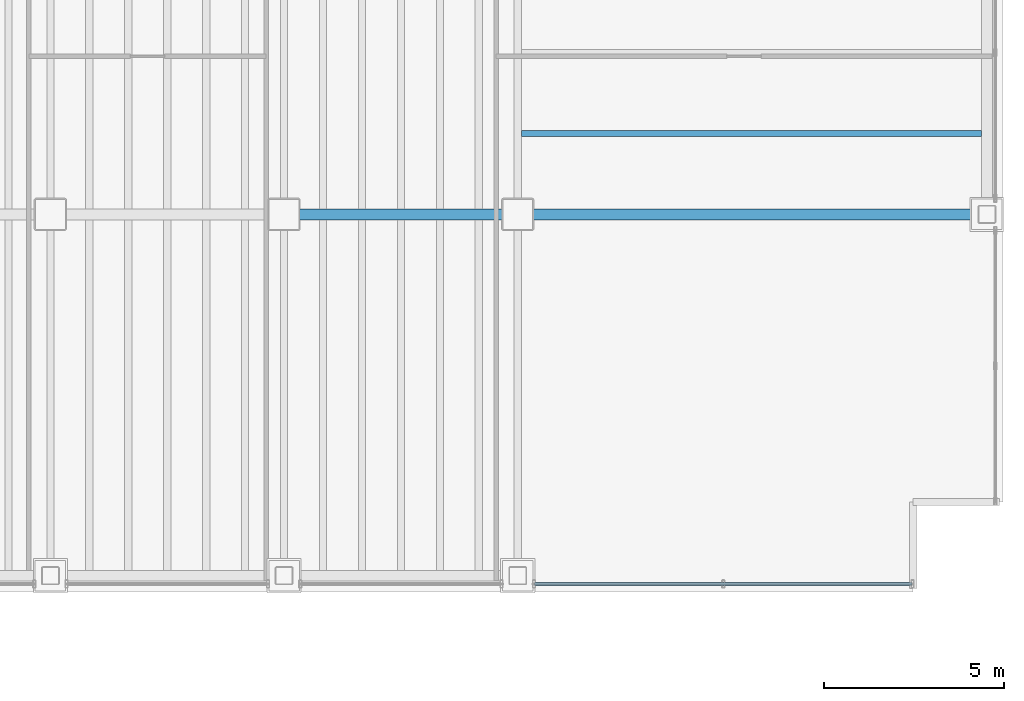
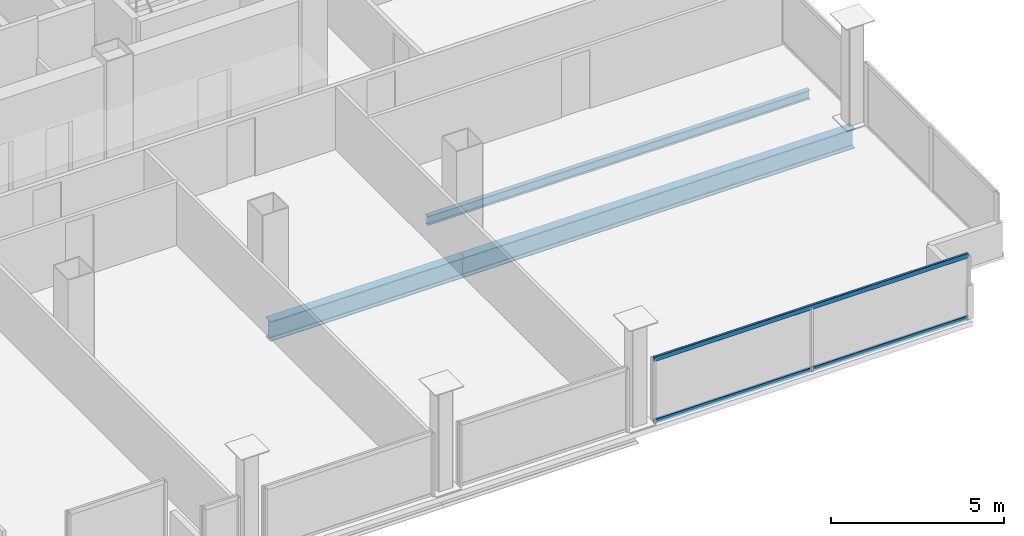
# One storey, part 10 of 21: 3 beams, 2 members, 1 element without a shape of its own.
"""IFC4 building model written with IfcOpenShell, lengths in metres."""

from ifc_helpers import new_model, si_unit, direction, frame, origin, origin_2d, place, context, subcontext, project, spatial, hollow_rectangle, i_section, extrude, material, material_profile, profile_set, type_object, element, aggregate, save


model = new_model("IFC4")

# Units and contexts
model_context = context("Model", 3, precision=1e-05, world=origin(), true_north=direction((0.0, 1.0)))
body_context = subcontext(model_context, "Body", "Model", "MODEL_VIEW")
ifc_project = project(units=[si_unit("LENGTHUNIT", "METRE"), si_unit("AREAUNIT", "SQUARE_METRE"), si_unit("VOLUMEUNIT", "CUBIC_METRE"), si_unit("PLANEANGLEUNIT", "RADIAN"), si_unit("MASSUNIT", "GRAM", prefix="KILO")], contexts=[model_context])

# Site, building, storey
site_placement = place(None, origin())
site = spatial("IfcSite", under=ifc_project, at=site_placement, CompositionType="ELEMENT")
building_placement = place(site_placement, origin())
building = spatial("IfcBuilding", under=site, at=building_placement, Name="Noeulbin Bourse Tower", CompositionType="ELEMENT")
storey_placement = place(building_placement, frame((0.0, 0.0, 111.0)))
storey = spatial("IfcBuildingStorey", under=building, at=storey_placement, Name="L27", CompositionType="ELEMENT", Elevation=111.0)

# Beams
ifc_material_1 = material(Name="Steel S355", Category="steel")
ifc_material_profile_1 = material_profile(ifc_material_1, i_section(OverallWidth=0.300048828125, OverallDepth=0.699951171875, WebThickness=0.012939453125, FlangeThickness=0.02392578125, FilletRadius=0.02392578125, at=origin_2d()), Name="H-700x300x13x24", Category="LoadBearing")
ifc_profile_set_1 = profile_set([ifc_material_profile_1], Name="Steel S355")
beam_type_1 = type_object("IfcBeamType", Name="BM-GRD-700", PredefinedType="USERDEFINED", material=ifc_profile_set_1)
beam_1_placement = place(storey_placement, frame((37.5, 20.0, -0.530029296875), z_axis=(1.0, 0.0, 0.0), x_axis=(0.0, 1.0, 0.0)))
element("IfcBeam", 1, at=beam_1_placement, inside=storey, type_object=beam_type_1, Name="Tower Primary Girder EW L27-1.5", ObjectType="GIRDER", PredefinedType="USERDEFINED", context=body_context, shape_type="SweptSolid", body=[
    extrude(i_section(OverallWidth=0.300048828125, OverallDepth=0.699951171875, WebThickness=0.012939453125, FlangeThickness=0.02392578125, FilletRadius=0.02392578125, at=origin_2d()), origin(), (0.0, 0.0, 1.0), 6.5),
])
beam_2_placement = place(storey_placement, frame((44.0, 20.0, -0.530029296875), z_axis=(1.0, 0.0, 0.0), x_axis=(0.0, 1.0, 0.0)))
element("IfcBeam", 2, at=beam_2_placement, inside=storey, type_object=beam_type_1, Name="Tower Primary Girder EW L27-1.6", ObjectType="GIRDER", PredefinedType="USERDEFINED", context=body_context, shape_type="SweptSolid", body=[
    extrude(i_section(OverallWidth=0.300048828125, OverallDepth=0.699951171875, WebThickness=0.012939453125, FlangeThickness=0.02392578125, FilletRadius=0.02392578125, at=origin_2d()), origin(), (0.0, 0.0, 1.0), 13.050048828125),
])
ifc_material_profile_2 = material_profile(ifc_material_1, i_section(OverallWidth=0.159912109375, OverallDepth=0.320068359375, WebThickness=0.006591796875, FlangeThickness=0.010009765625, FilletRadius=0.012939453125, at=origin_2d()), Name="H-320x160x6.5x10", Category="LoadBearing")
ifc_profile_set_2 = profile_set([ifc_material_profile_2], Name="Steel S355")
beam_type_2 = type_object("IfcBeamType", Name="BM-JST-320", PredefinedType="JOIST", material=ifc_profile_set_2)
beam_3_placement = place(storey_placement, frame((44.10009765625, 22.25, -0.340087890625), z_axis=(1.0, 0.0, 0.0), x_axis=(0.0, 1.0, 0.0)))
element("IfcBeam", 3, at=beam_3_placement, inside=storey, type_object=beam_type_2, Name="Wing Composite Joist L27-E76", PredefinedType="JOIST", context=body_context, shape_type="SweptSolid", body=[
    extrude(i_section(OverallWidth=0.159912109375, OverallDepth=0.320068359375, WebThickness=0.006591796875, FlangeThickness=0.010009765625, FilletRadius=0.012939453125, at=origin_2d()), origin(), (0.0, 0.0, 1.0), 12.7998046875),
])

# Curtain wall, members
ifc_material_2 = material(Name="Dark Tinted Triple Glazing", Category="glass")
curtain_wall_type = type_object("IfcCurtainWallType", Name="CW-SYS-3", PredefinedType="NOTDEFINED", material=ifc_material_2)
curtain_wall_placement = place(storey_placement, origin())
curtain_wall = element("IfcCurtainWall", 4, at=curtain_wall_placement, inside=storey, type_object=curtain_wall_type, Name="Unitised Curtain Wall CW-L27-S3-S4", PredefinedType="NOTDEFINED")
ifc_material_3 = material(Name="Anodised Aluminium 6063-T6", Category="aluminium")
ifc_material_profile_3 = material_profile(ifc_material_3, hollow_rectangle(XDim=0.074951171875, YDim=0.159912109375, WallThickness=0.0048828125, InnerFilletRadius=0.00244140625, OuterFilletRadius=0.0048828125, at=origin_2d()), Name="ALU-TRAN-75x160x5", Category="LoadBearing")
ifc_profile_set_3 = profile_set([ifc_material_profile_3], Name="Anodised Aluminium 6063-T6")
member_type = type_object("IfcMemberType", Name="CW-SYS-3-TRN", PredefinedType="USERDEFINED", material=ifc_profile_set_3)
member_1_placement = place(storey_placement, frame((44.4599609375, 9.719970703125, 0.010009765625), z_axis=(1.0, 0.0, 0.0), x_axis=(0.0, 1.0, 0.0)))
member_1 = element("IfcMember", 5, at=member_1_placement, type_object=member_type, Name="Curtain Wall Transom CW-L27-S3-S4-T00", ObjectType="TRANSOM", PredefinedType="USERDEFINED", context=body_context, shape_type="SweptSolid", body=[
    extrude(hollow_rectangle(XDim=0.074951171875, YDim=0.159912109375, WallThickness=0.0048828125, InnerFilletRadius=0.00244140625, OuterFilletRadius=0.0048828125, at=origin_2d()), origin(), (0.0, 0.0, 1.0), 10.510009765625),
])
member_2_placement = place(storey_placement, frame((44.4599609375, 9.719970703125, 2.2099609375), z_axis=(1.0, 0.0, 0.0), x_axis=(0.0, 1.0, 0.0)))
member_2 = element("IfcMember", 6, at=member_2_placement, type_object=member_type, Name="Curtain Wall Transom CW-L27-S3-S4-T01", ObjectType="TRANSOM", PredefinedType="USERDEFINED", context=body_context, shape_type="SweptSolid", body=[
    extrude(hollow_rectangle(XDim=0.074951171875, YDim=0.159912109375, WallThickness=0.0048828125, InnerFilletRadius=0.00244140625, OuterFilletRadius=0.0048828125, at=origin_2d()), origin(), (0.0, 0.0, 1.0), 10.510009765625),
])
aggregate(curtain_wall, [member_1, member_2])

save(model, "model.ifc")
